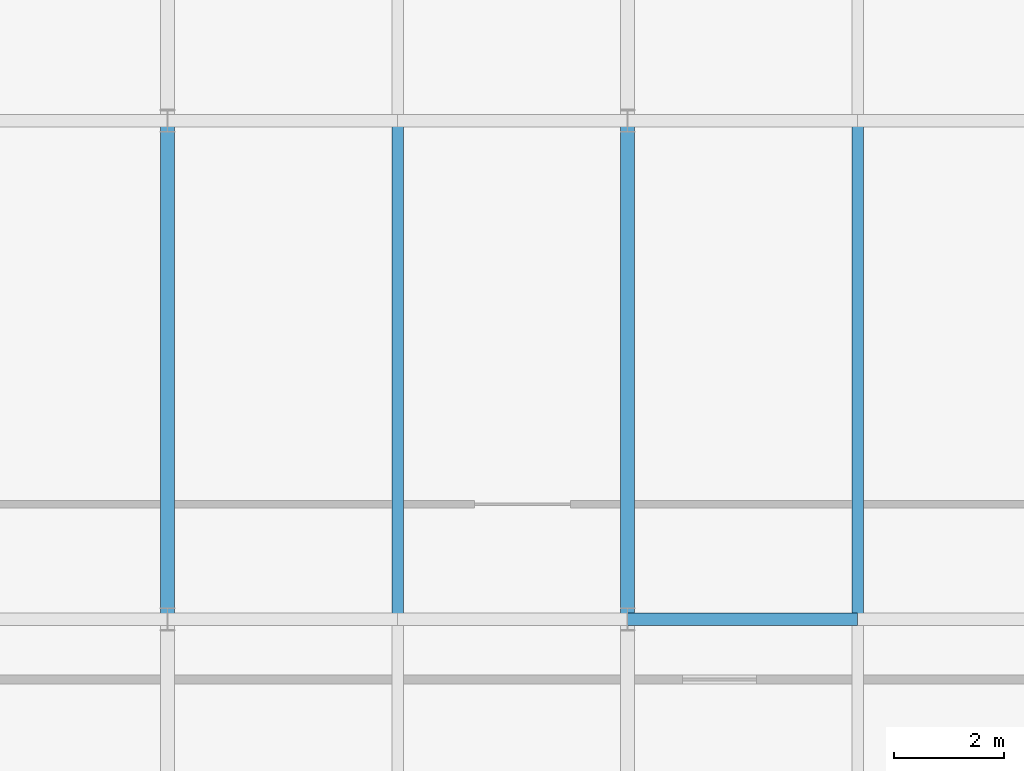
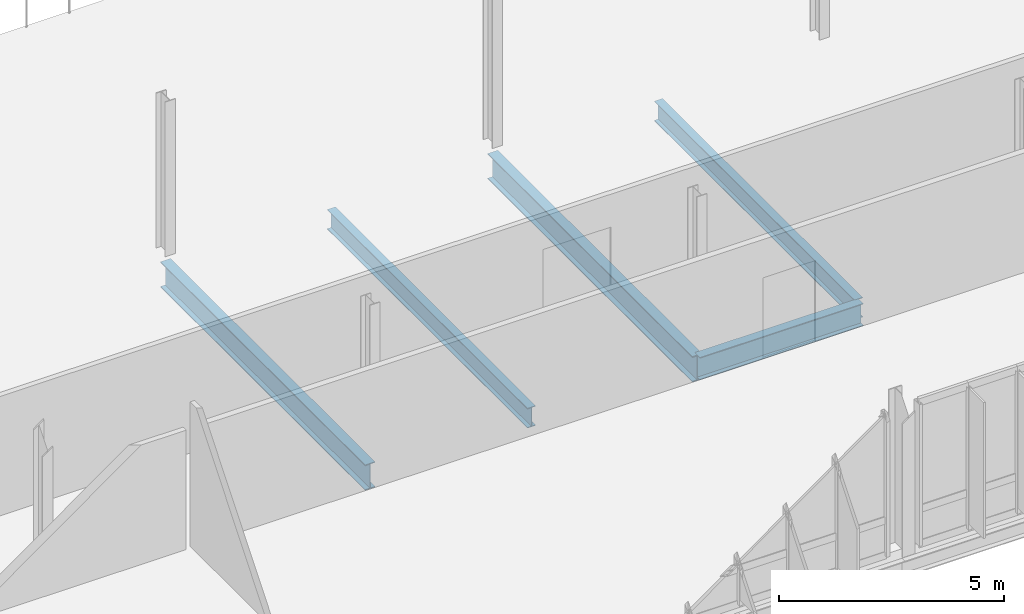
# One storey, part 38 of 107: 5 beams.
"""IFC4 building model written with IfcOpenShell, lengths in metres."""

from ifc_helpers import new_model, si_unit, derived_unit, direction, frame, origin, origin_2d, place, context, subcontext, project, spatial, i_section, extrude, material, material_profile, profile_set, type_object, element, save


model = new_model("IFC4")

# Units and contexts
model_context = context("Model", 3, precision=1e-05, world=origin(), true_north=direction((0.0, 1.0)))
body_context = subcontext(model_context, "Body", "Model", "MODEL_VIEW")
ifc_project = project(units=[si_unit("LENGTHUNIT", "METRE"), si_unit("AREAUNIT", "SQUARE_METRE"), si_unit("VOLUMEUNIT", "CUBIC_METRE"), si_unit("PLANEANGLEUNIT", "RADIAN"), si_unit("MASSUNIT", "GRAM", prefix="KILO"), derived_unit("THERMALTRANSMITTANCEUNIT", [(si_unit("MASSUNIT", "GRAM", prefix="KILO"), 1), (si_unit("TIMEUNIT", "SECOND"), -3), (si_unit("THERMODYNAMICTEMPERATUREUNIT", "KELVIN"), -1)])], contexts=[model_context])

# Site, building, storey
site_placement = place(None, origin())
site = spatial("IfcSite", under=ifc_project, at=site_placement, CompositionType="ELEMENT")
building_placement = place(site_placement, origin())
building = spatial("IfcBuilding", under=site, at=building_placement, Name="Makaiwela Harbour Ferry Terminal", CompositionType="ELEMENT")
storey_placement = place(building_placement, frame((0.0, 0.0, 9.60009765625)))
storey = spatial("IfcBuildingStorey", under=building, at=storey_placement, Name="L02", CompositionType="ELEMENT", Elevation=9.60009765625)

# Beams
ifc_material = material(Name="Steel ASTM A992 Grade 50", Category="steel")
ifc_material_profile_1 = material_profile(ifc_material, i_section(OverallWidth=0.2099609375, OverallDepth=0.537109375, WebThickness=0.010986328125, FlangeThickness=0.017333984375, at=origin_2d()), Name="W21X68")
ifc_profile_set_1 = profile_set([ifc_material_profile_1], Name="Steel ASTM A992 Grade 50")
beam_type_1 = type_object("IfcBeamType", Name="STR-BM-W21X68", PredefinedType="BEAM", material=ifc_profile_set_1)
for number, where, z_axis, x_axis, name in (
    (1, (117.60009765625, 58.596435546875, -0.528564453125), (0.0, 1.0, 0.0), (-1.0, 0.0, 0.0), "Secondary floor beam 1511"),
    (2, (126.0, 58.596435546875, -0.528564453125), (0.0, 1.0, 0.0), (-1.0, 0.0, 0.0), "Secondary floor beam 1515"),
):
    element("IfcBeam", number, at=place(storey_placement, frame(where, z_axis=z_axis, x_axis=x_axis)), inside=storey, type_object=beam_type_1, Name=name, PredefinedType="BEAM", context=body_context, shape_type="SweptSolid", body=[
        extrude(i_section(OverallWidth=0.2099609375, OverallDepth=0.537109375, WebThickness=0.010986328125, FlangeThickness=0.017333984375, at=origin_2d()), origin(), (0.0, 0.0, 1.0), 8.906982421875),
    ])
ifc_material_profile_2 = material_profile(ifc_material, i_section(OverallWidth=0.22900390625, OverallDepth=0.612060546875, WebThickness=0.011962890625, FlangeThickness=0.01953125, at=origin_2d()), Name="W24X84")
ifc_profile_set_2 = profile_set([ifc_material_profile_2], Name="Steel ASTM A992 Grade 50")
beam_type_2 = type_object("IfcBeamType", Name="STR-GRD-W24X84", PredefinedType="USERDEFINED", material=ifc_profile_set_2)
beam_placement = place(storey_placement, frame((121.800048828125, 58.5, -0.566162109375), z_axis=(1.0, 0.0, 0.0), x_axis=(0.0, 1.0, 0.0)))
element("IfcBeam", 3, at=beam_placement, inside=storey, type_object=beam_type_2, Name="Primary X girder 1303", ObjectType="GIRDER", PredefinedType="USERDEFINED", context=body_context, shape_type="SweptSolid", body=[
    extrude(i_section(OverallWidth=0.22900390625, OverallDepth=0.612060546875, WebThickness=0.011962890625, FlangeThickness=0.01953125, at=origin_2d()), origin(), (0.0, 0.0, 1.0), 4.199951171875),
])
ifc_material_profile_3 = material_profile(ifc_material, i_section(OverallWidth=0.256103515625, OverallDepth=0.693115234375, WebThickness=0.014404296875, FlangeThickness=0.023681640625, at=origin_2d()), Name="W27X114")
ifc_profile_set_3 = profile_set([ifc_material_profile_3], Name="Steel ASTM A992 Grade 50")
beam_type_3 = type_object("IfcBeamType", Name="STR-GRD-W27X114", PredefinedType="USERDEFINED", material=ifc_profile_set_3)
for number, where, z_axis, x_axis, name in (
    (4, (113.39990234375, 58.5, -0.606689453125), (0.0, 1.0, 0.0), (-1.0, 0.0, 0.0), "Primary Y girder 1406"),
    (5, (121.800048828125, 58.5, -0.606689453125), (0.0, 1.0, 0.0), (-1.0, 0.0, 0.0), "Primary Y girder 1413"),
):
    element("IfcBeam", number, at=place(storey_placement, frame(where, z_axis=z_axis, x_axis=x_axis)), inside=storey, type_object=beam_type_3, Name=name, ObjectType="GIRDER", PredefinedType="USERDEFINED", context=body_context, shape_type="SweptSolid", body=[
        extrude(i_section(OverallWidth=0.256103515625, OverallDepth=0.693115234375, WebThickness=0.014404296875, FlangeThickness=0.023681640625, at=origin_2d()), origin(), (0.0, 0.0, 1.0), 9.10009765625),
    ])

save(model, "model.ifc")
